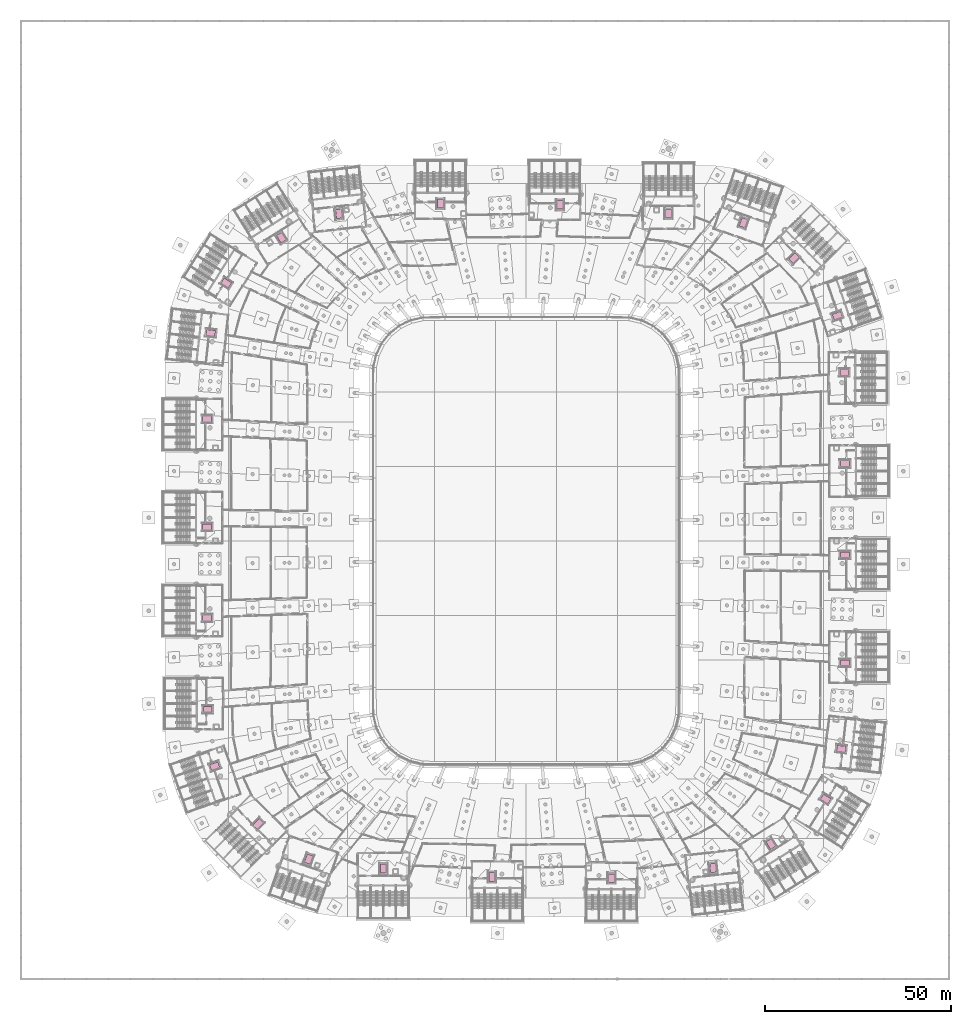
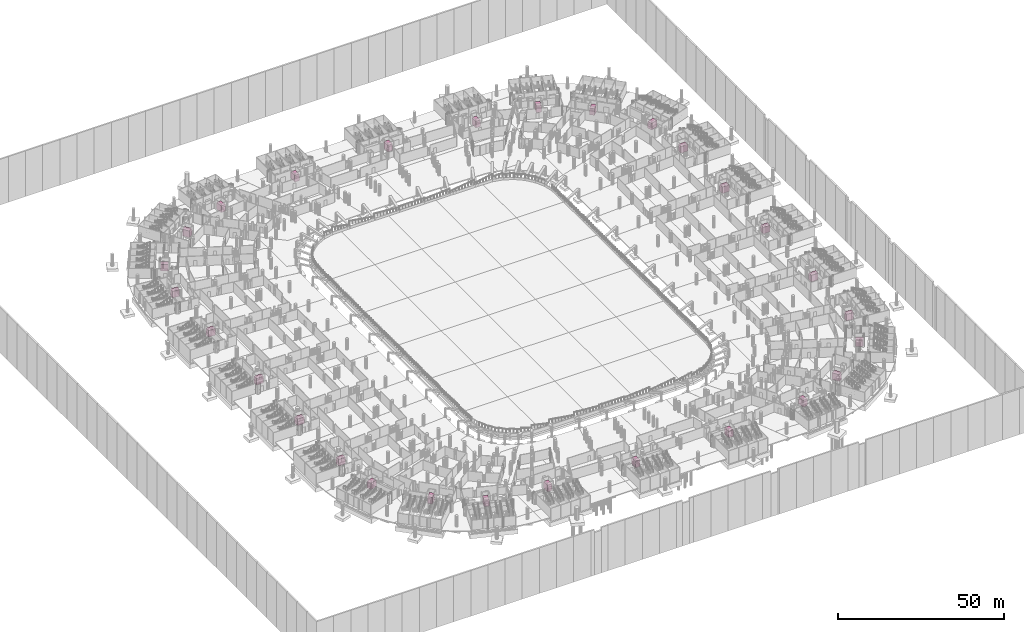
# One storey, part 142 of 142: 28 transport elements.
"""IFC4 building model written with IfcOpenShell, lengths in metres."""

import ifcopenshell
import ifcopenshell.guid

model = None  # the IFC model being written
_history = None  # IfcOwnerHistory: only IFC2X3 demands one
_inside = {}  # id of a spatial element -> (the spatial element, [elements in it])
_under = {}  # id of a project, library or spatial element -> (it, [spatial elements below it])
_declared = {}  # id of a project -> (the project, [libraries it declares])
_typed = {}  # id of a type object -> (the type object, [elements of that type])
_made_of = {}  # id of a material, layer set ... -> (it, [elements and type objects made of it])


def new_model(schema):
    """Start an empty IFC model of exactly this schema.

    Asked for "IFC4X3", IfcOpenShell would pick the latest addendum, in which some entities
    have other attributes; the version numbers below select the first issue.
    IFC2X3 requires an IfcOwnerHistory on every rooted entity: one is made here for all.
    """
    global model, _history
    if schema == "IFC4X3":
        model = ifcopenshell.file(schema_version=(4, 3, 0, 0))
    else:
        model = ifcopenshell.file(schema=schema)
    _inside.clear()
    _under.clear()
    _declared.clear()
    _typed.clear()
    _made_of.clear()
    _history = None
    if model.schema == "IFC2X3":
        org = make("IfcOrganization", Name="unknown")
        user = make(
            "IfcPersonAndOrganization",
            ThePerson=make("IfcPerson", FamilyName="unknown"),
            TheOrganization=org,
        )
        app = make(
            "IfcApplication",
            ApplicationDeveloper=org,
            Version="unknown",
            ApplicationFullName="unknown",
            ApplicationIdentifier="unknown",
        )
        _history = make(
            "IfcOwnerHistory",
            OwningUser=user,
            OwningApplication=app,
            ChangeAction="ADDED",
            CreationDate=0,
        )
    return model


def make(cls, **values):
    """One entity of the class cls with the attributes given. An attribute that is None is left unset."""
    return model.create_entity(
        cls, **{name: value for name, value in values.items() if value is not None}
    )


def rooted(cls, **values):
    """An entity with a GlobalId (a new one), such as an element, a storey or a relation."""
    return make(cls, GlobalId=ifcopenshell.guid.new(), OwnerHistory=_history, **values)


def si_unit(unit_type, name, prefix=None):
    """IfcSIUnit, for example si_unit("LENGTHUNIT", "METRE", prefix="MILLI")."""
    return make("IfcSIUnit", UnitType=unit_type, Prefix=prefix, Name=name)


def assignment(units):
    """IfcUnitAssignment: the units of a project."""
    return None if units is None else make("IfcUnitAssignment", Units=units)


def point(xyz):
    """IfcCartesianPoint."""
    return None if xyz is None else make("IfcCartesianPoint", Coordinates=xyz)


def direction(xyz):
    """IfcDirection."""
    return None if xyz is None else make("IfcDirection", DirectionRatios=xyz)


def frame(location, z_axis=None, x_axis=None):
    """IfcAxis2Placement3D, a coordinate frame: its origin and axes. An axis left out is left unset."""
    return make(
        "IfcAxis2Placement3D",
        Location=point(location),
        Axis=direction(z_axis),
        RefDirection=direction(x_axis),
    )


def frame_2d(location, x_axis=None):
    """IfcAxis2Placement2D, a coordinate frame in the plane: its origin and x axis."""
    return make(
        "IfcAxis2Placement2D", Location=point(location), RefDirection=direction(x_axis)
    )


def origin():
    """The frame at (0, 0, 0) with its axes left unset."""
    return frame((0.0, 0.0, 0.0))


def origin_2d():
    """The frame at (0, 0) in the plane with its x axis left unset."""
    return frame_2d((0.0, 0.0))


def place(relative_to, where):
    """IfcLocalPlacement: puts the frame where relative to a parent placement (None: the world)."""
    return make(
        "IfcLocalPlacement", PlacementRelTo=relative_to, RelativePlacement=where
    )


def context(
    kind, dimensions, precision=None, world=None, true_north=None, identifier=None
):
    """IfcGeometricRepresentationContext, for example the 3D "Model" context."""
    return make(
        "IfcGeometricRepresentationContext",
        ContextIdentifier=identifier,
        ContextType=kind,
        CoordinateSpaceDimension=dimensions,
        Precision=precision,
        WorldCoordinateSystem=world,
        TrueNorth=true_north,
    )


def subcontext(parent, identifier, kind, view, scale=None):
    """IfcGeometricRepresentationSubContext, for example "Body" below "Model"."""
    return make(
        "IfcGeometricRepresentationSubContext",
        ContextIdentifier=identifier,
        ContextType=kind,
        ParentContext=parent,
        TargetScale=scale,
        TargetView=view,
    )


def project(units=None, contexts=None):
    """IfcProject with its units and contexts."""
    return rooted(
        "IfcProject",
        Name="project",
        RepresentationContexts=contexts,
        UnitsInContext=assignment(units),
    )


def spatial(cls, under=None, at=None, **own):
    """A site, building, storey or space (cls), placed at a placement, below another one or the project."""
    s = rooted(cls, ObjectPlacement=at, **own)
    if under is not None:
        _under.setdefault(under.id(), (under, []))[1].append(s)
    return s


def profile(cls, at=None, kind="AREA", **sizes):
    """A parametric profile (cls). Its sizes go by their IFC names, for example OverallWidth=200.0."""
    return make(cls, ProfileType=kind, Position=at, **sizes)


def rectangle(**sizes):
    """IfcRectangleProfileDef."""
    return profile("IfcRectangleProfileDef", **sizes)


def extrude(swept, where, along, depth):
    """IfcExtrudedAreaSolid: the profile swept, set in the frame where, extruded along a direction by depth."""
    return make(
        "IfcExtrudedAreaSolid",
        SweptArea=swept,
        Position=where,
        ExtrudedDirection=direction(along),
        Depth=depth,
    )


def shape(context_of_items, identifier, shape_type, items):
    """IfcShapeRepresentation: the items that make up one representation, for example the "Body"."""
    return make(
        "IfcShapeRepresentation",
        ContextOfItems=context_of_items,
        RepresentationIdentifier=identifier,
        RepresentationType=shape_type,
        Items=items,
    )


def material(Name=None, Category=None):
    """IfcMaterial."""
    return make("IfcMaterial", Name=Name, Category=Category)


def made_of(thing, what):
    """Note that an element or type object is made of a material, layer set ...; save() writes the relation."""
    if what is not None:
        _made_of.setdefault(what.id(), (what, []))[1].append(thing)
    return thing


def type_object(cls, material=None, **own):
    """A type object (cls), such as IfcWallType, which elements share."""
    return made_of(rooted(cls, **own), material)


def element(
    cls,
    number,
    at=None,
    inside=None,
    cuts=None,
    type_object=None,
    material=None,
    context=None,
    identifier="Body",
    shape_type=None,
    held_by="IfcProductDefinitionShape",
    body=None,
    shapes=None,
    **own,
):
    """One element of the class cls, such as IfcWall. Its Tag is "e" and its number.

    at: its placement. inside: the storey or other place that contains it. cuts: it is an
    opening in that element (IfcRelVoidsElement). A single representation is given by context,
    identifier, shape_type and body (its items); several are given by shapes. held_by: the class
    of the entity that holds the representations. save() writes the other relations.
    """
    e = rooted(cls, Tag="e%d" % number, ObjectPlacement=at, **own)
    if body is not None:
        shapes = [shape(context, identifier, shape_type, body)]
    if shapes is not None:
        e.Representation = make(held_by, Representations=shapes)
    if inside is not None:
        _inside.setdefault(inside.id(), (inside, []))[1].append(e)
    if cuts is not None:
        rooted(
            "IfcRelVoidsElement", RelatingBuildingElement=cuts, RelatedOpeningElement=e
        )
    if type_object is not None:
        _typed.setdefault(type_object.id(), (type_object, []))[1].append(e)
    return made_of(e, material)


def aggregate(whole, parts):
    """IfcRelAggregates: a whole, such as a stair, and the parts it consists of."""
    return rooted("IfcRelAggregates", RelatingObject=whole, RelatedObjects=parts)


def save(model, path):
    """Write the relations noted so far, then the file.

    IfcRelAggregates (storeys below a building ...), IfcRelContainedInSpatialStructure (elements
    in a storey), IfcRelDefinesByType, IfcRelAssociatesMaterial and IfcRelDeclares: one each for
    every whole, place, type object, material and project.
    """
    for whole, parts in _under.values():
        aggregate(whole, parts)
    for where, things in _inside.values():
        rooted(
            "IfcRelContainedInSpatialStructure",
            RelatedElements=things,
            RelatingStructure=where,
        )
    for kind, things in _typed.values():
        rooted("IfcRelDefinesByType", RelatedObjects=things, RelatingType=kind)
    for what, things in _made_of.values():
        rooted("IfcRelAssociatesMaterial", RelatedObjects=things, RelatingMaterial=what)
    for by, libraries in _declared.values():
        rooted("IfcRelDeclares", RelatingContext=by, RelatedDefinitions=libraries)
    model.write(path)


model = new_model("IFC4")

# Units and contexts
model_context = context("Model", 3, precision=1e-05, world=origin(), true_north=direction((0.0, 1.0)))
body_context = subcontext(model_context, "Body", "Model", "MODEL_VIEW")
ifc_project = project(units=[si_unit("LENGTHUNIT", "METRE"), si_unit("AREAUNIT", "SQUARE_METRE"), si_unit("VOLUMEUNIT", "CUBIC_METRE"), si_unit("PLANEANGLEUNIT", "RADIAN"), si_unit("MASSUNIT", "GRAM", prefix="KILO")], contexts=[model_context])

# Site, building, storey
site_placement = place(None, origin())
site = spatial("IfcSite", under=ifc_project, at=site_placement, CompositionType="ELEMENT")
building_placement = place(site_placement, origin())
building = spatial("IfcBuilding", under=site, at=building_placement, Name="Meseta Stadium", CompositionType="ELEMENT")
storey_placement = place(building_placement, frame((0.0, 0.0, -4.0)))
storey = spatial("IfcBuildingStorey", under=building, at=storey_placement, Name="B1", CompositionType="ELEMENT", Elevation=-4.0)

# Transport elements
ifc_material = material(Name="Steel S355", Category="steel")
transport_element_type = type_object("IfcTransportElementType", Name="Passenger lift 1600x2400 2000 kg", PredefinedType="ELEVATOR", material=ifc_material)
for number, where, z_axis, x_axis, name in (
    (1, (84.73583984375, -55.8740234375, 0.02001953125), (0.0, 0.0, 1.0), (-0.99371215406, 0.111964971633, 0.0), "Lift 01"),
    (2, (85.75, -32.75, 0.02001953125), (0.0, 0.0, 1.0), (-1.0, 0.0, 0.0), "Lift 02"),
    (3, (85.75, -3.75, 0.02001953125), (0.0, 0.0, 1.0), (-1.0, 0.0, 0.0), "Lift 03"),
    (4, (85.75, 20.75, 0.02001953125), (0.0, 0.0, 1.0), (-1.0, 0.0, 0.0), "Lift 04"),
    (5, (85.550048828125, 45.25, 0.02001953125), (0.0, 0.0, 1.0), (-1.0, 0.0, 0.0), "Lift 05"),
    (6, (83.684326171875, 60.53759765625, 0.02001953125), (0.0, 0.0, 1.0), (-0.943883412658, -0.330278826614, 0.0), "Lift 06"),
    (7, (72.029052734375, 76.029052734375, 0.02001953125), (0.0, 0.0, 1.0), (-0.707106781187, -0.707106781187, 0.0), "Lift 07"),
    (8, (58.42626953125, 85.511962890625, 0.02001953125), (0.0, 0.0, 1.0), (-0.330278826614, -0.943883412658, 0.0), "Lift 08"),
    (9, (38.333251953125, 88.001220703125, 0.02001953125), (0.0, 0.0, 1.0), (0.0, -1.0, 0.0), "Lift 09"),
    (10, (9.166748046875, 90.35009765625, 0.02001953125), (0.0, 0.0, 1.0), (0.0, -1.0, 0.0), "Lift 10"),
    (11, (-23.0, 90.64990234375, 0.02001953125), (0.0, 0.0, 1.0), (0.0, -1.0, 0.0), "Lift 11"),
    (12, (-50.269775390625, 87.895263671875, 0.02001953125), (0.0, 0.0, 1.0), (0.111964971633, -0.99371215406, 0.0), "Lift 12"),
    (13, (-65.776611328125, 81.47412109375, 0.02001953125), (0.0, 0.0, 1.0), (0.532032709863, -0.846723801269, 0.0), "Lift 13"),
    (14, (-80.552001953125, 69.348388671875, 0.02001953125), (0.0, 0.0, 1.0), (0.846723801269, -0.532032709863, 0.0), "Lift 14"),
    (15, (-84.73583984375, 55.8740234375, 0.02001953125), (0.0, 0.0, 1.0), (0.99371215406, -0.111964971633, 0.0), "Lift 15"),
    (16, (-85.75, 32.75, 0.02001953125), (0.0, 0.0, 1.0), (1.0, 0.0, 0.0), "Lift 16"),
    (17, (-85.75, 3.75, 0.02001953125), (0.0, 0.0, 1.0), (1.0, 0.0, 0.0), "Lift 17"),
    (18, (-85.75, -20.75, 0.02001953125), (0.0, 0.0, 1.0), (1.0, 0.0, 0.0), "Lift 18"),
    (19, (-85.550048828125, -45.25, 0.02001953125), (0.0, 0.0, 1.0), (1.0, 0.0, 0.0), "Lift 19"),
    (20, (-83.684326171875, -60.53759765625, 0.02001953125), (0.0, 0.0, 1.0), (0.943883412658, 0.330278826614, 0.0), "Lift 20"),
    (21, (-72.029052734375, -76.029052734375, 0.02001953125), (0.0, 0.0, 1.0), (0.707106781187, 0.707106781187, 0.0), "Lift 21"),
    (22, (-58.42626953125, -85.511962890625, 0.02001953125), (0.0, 0.0, 1.0), (0.330278826614, 0.943883412658, 0.0), "Lift 22"),
    (23, (-38.333251953125, -88.001220703125, 0.02001953125), (0.0, 0.0, 1.0), (0.0, 1.0, 0.0), "Lift 23"),
    (24, (-9.166748046875, -90.35009765625, 0.02001953125), (0.0, 0.0, 1.0), (0.0, 1.0, 0.0), "Lift 24"),
    (25, (23.0, -90.64990234375, 0.02001953125), (0.0, 0.0, 1.0), (0.0, 1.0, 0.0), "Lift 25"),
    (26, (50.269775390625, -87.895263671875, 0.02001953125), (0.0, 0.0, 1.0), (-0.111964971633, 0.99371215406, 0.0), "Lift 26"),
    (27, (65.776611328125, -81.47412109375, 0.02001953125), (0.0, 0.0, 1.0), (-0.532032709863, 0.846723801269, 0.0), "Lift 27"),
    (28, (80.552001953125, -69.348388671875, 0.02001953125), (0.0, 0.0, 1.0), (-0.846723801269, 0.532032709863, 0.0), "Lift 28"),
):
    element("IfcTransportElement", number, at=place(storey_placement, frame(where, z_axis=z_axis, x_axis=x_axis)), inside=storey, type_object=transport_element_type, Name=name, PredefinedType="ELEVATOR", context=body_context, shape_type="SweptSolid", body=[
        extrude(rectangle(XDim=2.39990234375, YDim=1.60009765625, at=origin_2d()), origin(), (0.0, 0.0, 1.0), 2.39990234375),
    ])

save(model, "model.ifc")
